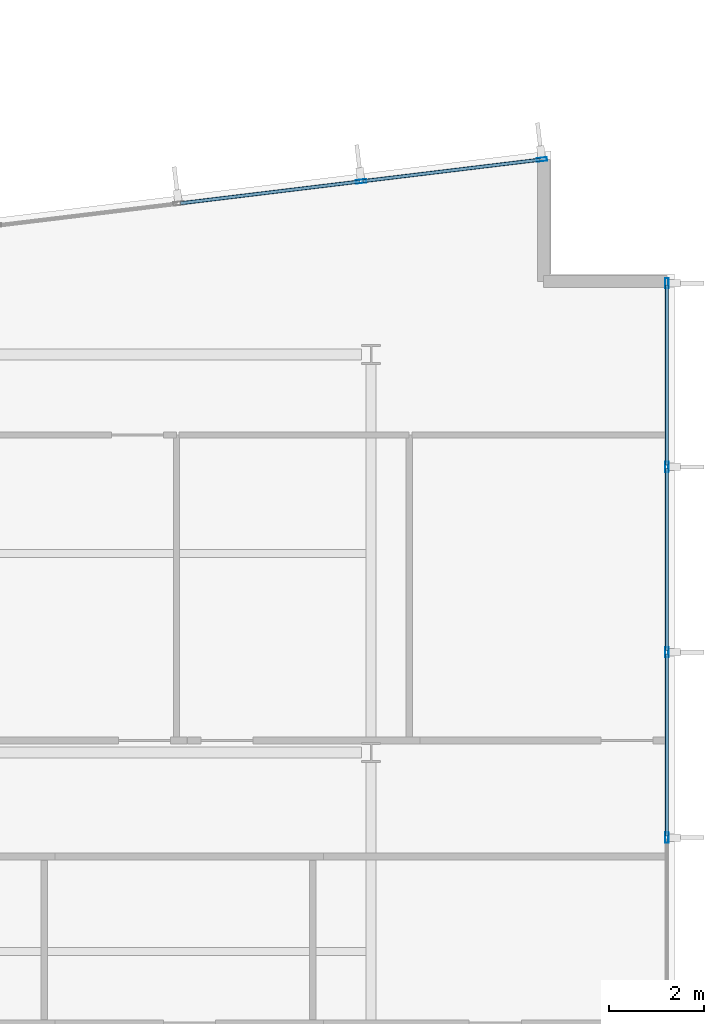
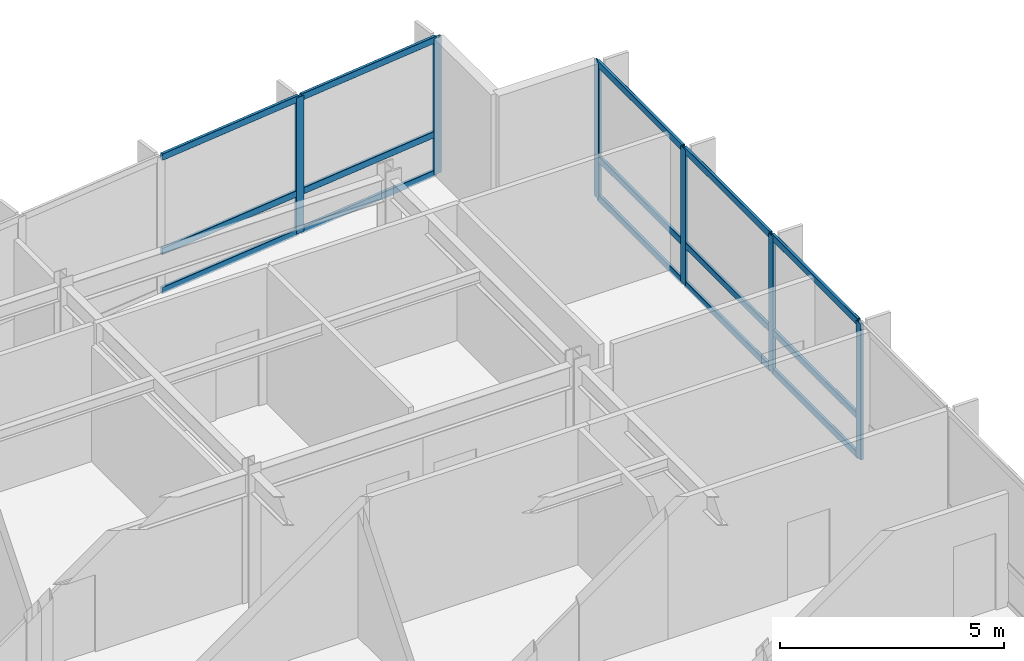
# One storey, part 8 of 19: 21 members, 2 elements without a shape of their own.
"""IFC4 building model written with IfcOpenShell, lengths in metres."""

from ifc_helpers import new_model, si_unit, direction, frame, origin, origin_2d, place, context, subcontext, project, spatial, hollow_rectangle, extrude, material, layer, layer_set, material_profile, profile_set, type_object, element, aggregate, save


model = new_model("IFC4")

# Units and contexts
model_context = context("Model", 3, precision=1e-05, world=origin(), true_north=direction((0.0, 1.0)))
body_context = subcontext(model_context, "Body", "Model", "MODEL_VIEW")
ifc_project = project(units=[si_unit("LENGTHUNIT", "METRE"), si_unit("AREAUNIT", "SQUARE_METRE"), si_unit("VOLUMEUNIT", "CUBIC_METRE"), si_unit("PLANEANGLEUNIT", "RADIAN"), si_unit("MASSUNIT", "GRAM", prefix="KILO")], contexts=[model_context])

# Site, building, storey
site_placement = place(None, origin())
site = spatial("IfcSite", under=ifc_project, at=site_placement, CompositionType="ELEMENT")
building_placement = place(site_placement, origin())
building = spatial("IfcBuilding", under=site, at=building_placement, Name="Varnakote Quay Hospital", CompositionType="ELEMENT")
storey_placement = place(building_placement, frame((0.0, 0.0, 162.60009765625)))
storey = spatial("IfcBuildingStorey", under=building, at=storey_placement, Name="L40", CompositionType="ELEMENT", Elevation=162.60009765625)

# Curtain wall, members
ifc_material_1 = material(Name="Anodised aluminium 6063-T6 Bronze", Category="aluminium")
ifc_layer = layer(ifc_material_1, 0.205078125)
ifc_layer_set = layer_set([ifc_layer], Name="Anodised aluminium 6063-T6 Bronze")
curtain_wall_type = type_object("IfcCurtainWallType", Name="CW-SYS-3", PredefinedType="NOTDEFINED", material=ifc_layer_set)
curtain_wall_1_placement = place(storey_placement, origin())
curtain_wall_1 = element("IfcCurtainWall", 1, at=curtain_wall_1_placement, inside=storey, type_object=curtain_wall_type, Name="L40 Unitised Bronze Curtain Wall 1", PredefinedType="NOTDEFINED")
ifc_material_2 = material(Name="Anodised aluminium 6063-T6 Bronze", Category="aluminium")
ifc_material_profile_1 = material_profile(ifc_material_2, hollow_rectangle(XDim=0.074951171875, YDim=0.219970703125, WallThickness=0.00439453125, InnerFilletRadius=0.00439453125, OuterFilletRadius=0.009033203125, at=origin_2d()), Name="CW-MULL-220x75")
ifc_profile_set_1 = profile_set([ifc_material_profile_1], Name="Anodised aluminium 6063-T6 Bronze")
member_type_1 = type_object("IfcMemberType", Name="CW-MULL-220x75", PredefinedType="MULLION", material=ifc_profile_set_1)
member_1_placement = place(storey_placement, frame((56.639892578125, 18.60009765625, 0.0), z_axis=(0.0, 0.0, 1.0), x_axis=(-1.0, 0.0, 0.0)))
member_1 = element("IfcMember", 2, at=member_1_placement, type_object=member_type_1, Name="-3-L40-1 mullion 4", PredefinedType="MULLION", context=body_context, shape_type="SweptSolid", body=[
    extrude(hollow_rectangle(XDim=0.074951171875, YDim=0.219970703125, WallThickness=0.00439453125, InnerFilletRadius=0.00439453125, OuterFilletRadius=0.009033203125, at=origin_2d()), origin(), (0.0, 0.0, 1.0), 3.7099609375),
])
member_2_placement = place(storey_placement, frame((56.639892578125, 22.513427734375, 0.0), z_axis=(0.0, 0.0, 1.0), x_axis=(-1.0, 0.0, 0.0)))
member_2 = element("IfcMember", 3, at=member_2_placement, type_object=member_type_1, Name="-3-L40-1 mullion 5", PredefinedType="MULLION", context=body_context, shape_type="SweptSolid", body=[
    extrude(hollow_rectangle(XDim=0.074951171875, YDim=0.219970703125, WallThickness=0.00439453125, InnerFilletRadius=0.00439453125, OuterFilletRadius=0.009033203125, at=origin_2d()), origin(), (0.0, 0.0, 1.0), 3.7099609375),
])
member_3_placement = place(storey_placement, frame((56.639892578125, 26.4267578125, 0.0), z_axis=(0.0, 0.0, 1.0), x_axis=(-1.0, 0.0, 0.0)))
member_3 = element("IfcMember", 4, at=member_3_placement, type_object=member_type_1, Name="-3-L40-1 mullion 6", PredefinedType="MULLION", context=body_context, shape_type="SweptSolid", body=[
    extrude(hollow_rectangle(XDim=0.074951171875, YDim=0.219970703125, WallThickness=0.00439453125, InnerFilletRadius=0.00439453125, OuterFilletRadius=0.009033203125, at=origin_2d()), origin(), (0.0, 0.0, 1.0), 3.7099609375),
])
member_4_placement = place(storey_placement, frame((56.639892578125, 30.302490234375, 0.0), z_axis=(0.0, 0.0, 1.0), x_axis=(-1.0, 0.0, 0.0)))
member_4 = element("IfcMember", 5, at=member_4_placement, type_object=member_type_1, Name="-3-L40-1 mullion 7", PredefinedType="MULLION", context=body_context, shape_type="SweptSolid", body=[
    extrude(hollow_rectangle(XDim=0.074951171875, YDim=0.219970703125, WallThickness=0.00439453125, InnerFilletRadius=0.00439453125, OuterFilletRadius=0.009033203125, at=origin_2d()), origin(), (0.0, 0.0, 1.0), 3.7099609375),
])

curtain_wall_2_placement = place(storey_placement, origin())
curtain_wall_2 = element("IfcCurtainWall", 6, at=curtain_wall_2_placement, inside=storey, type_object=curtain_wall_type, Name="L40 Unitised Bronze Curtain Wall 2", PredefinedType="NOTDEFINED")
member_5_placement = place(storey_placement, frame((54.002685546875, 32.914794921875, 0.0), z_axis=(0.0, 0.0, 1.0), x_axis=(0.12032713492, -0.992734295067, 0.0)))
member_5 = element("IfcMember", 7, at=member_5_placement, type_object=member_type_1, Name="-3-L40-2 mullion 1", PredefinedType="MULLION", context=body_context, shape_type="SweptSolid", body=[
    extrude(hollow_rectangle(XDim=0.074951171875, YDim=0.219970703125, WallThickness=0.00439453125, InnerFilletRadius=0.00439453125, OuterFilletRadius=0.009033203125, at=origin_2d()), origin(), (0.0, 0.0, 1.0), 3.7099609375),
])
member_6_placement = place(storey_placement, frame((50.1875, 32.452392578125, 0.0), z_axis=(0.0, 0.0, 1.0), x_axis=(0.12032713492, -0.992734295067, 0.0)))
member_6 = element("IfcMember", 8, at=member_6_placement, type_object=member_type_1, Name="-3-L40-2 mullion 2", PredefinedType="MULLION", context=body_context, shape_type="SweptSolid", body=[
    extrude(hollow_rectangle(XDim=0.074951171875, YDim=0.219970703125, WallThickness=0.00439453125, InnerFilletRadius=0.00439453125, OuterFilletRadius=0.009033203125, at=origin_2d()), origin(), (0.0, 0.0, 1.0), 3.7099609375),
])

# Member
ifc_material_3 = material(Name="Anodised aluminium 6063-T6 Bronze", Category="aluminium")
ifc_material_profile_2 = material_profile(ifc_material_3, hollow_rectangle(XDim=0.074951171875, YDim=0.179931640625, WallThickness=0.004150390625, InnerFilletRadius=0.004150390625, OuterFilletRadius=0.00830078125, at=origin_2d()), Name="CW-TRAN-180x75")
ifc_profile_set_2 = profile_set([ifc_material_profile_2], Name="Anodised aluminium 6063-T6 Bronze")
member_type_2 = type_object("IfcMemberType", Name="CW-TRAN-180x75", PredefinedType="USERDEFINED", material=ifc_profile_set_2)
member_7_placement = place(storey_placement, frame((56.639892578125, 18.637451171875, 0.037353515625), z_axis=(0.0, 1.0, 0.0), x_axis=(-1.0, 0.0, 0.0)))
member_7 = element("IfcMember", 9, at=member_7_placement, type_object=member_type_2, Name="-3-L40-1 transom 4.1", ObjectType="TRANSOM", PredefinedType="USERDEFINED", context=body_context, shape_type="SweptSolid", body=[
    extrude(hollow_rectangle(XDim=0.074951171875, YDim=0.179931640625, WallThickness=0.004150390625, InnerFilletRadius=0.004150390625, OuterFilletRadius=0.00830078125, at=origin_2d()), origin(), (0.0, 0.0, 1.0), 3.83837890625),
])

member_8_placement = place(storey_placement, frame((56.639892578125, 18.637451171875, 1.099853515625), z_axis=(0.0, 1.0, 0.0), x_axis=(-1.0, 0.0, 0.0)))
member_8 = element("IfcMember", 10, at=member_8_placement, type_object=member_type_2, Name="-3-L40-1 transom 4.2", ObjectType="TRANSOM", PredefinedType="USERDEFINED", context=body_context, shape_type="SweptSolid", body=[
    extrude(hollow_rectangle(XDim=0.074951171875, YDim=0.179931640625, WallThickness=0.004150390625, InnerFilletRadius=0.004150390625, OuterFilletRadius=0.00830078125, at=origin_2d()), origin(), (0.0, 0.0, 1.0), 3.83837890625),
])

member_9_placement = place(storey_placement, frame((56.639892578125, 18.637451171875, 3.67236328125), z_axis=(0.0, 1.0, 0.0), x_axis=(-1.0, 0.0, 0.0)))
member_9 = element("IfcMember", 11, at=member_9_placement, type_object=member_type_2, Name="-3-L40-1 transom 4.3", ObjectType="TRANSOM", PredefinedType="USERDEFINED", context=body_context, shape_type="SweptSolid", body=[
    extrude(hollow_rectangle(XDim=0.074951171875, YDim=0.179931640625, WallThickness=0.004150390625, InnerFilletRadius=0.004150390625, OuterFilletRadius=0.00830078125, at=origin_2d()), origin(), (0.0, 0.0, 1.0), 3.83837890625),
])

member_10_placement = place(storey_placement, frame((56.639892578125, 22.55078125, 0.037353515625), z_axis=(0.0, 1.0, 0.0), x_axis=(-1.0, 0.0, 0.0)))
member_10 = element("IfcMember", 12, at=member_10_placement, type_object=member_type_2, Name="-3-L40-1 transom 5.1", ObjectType="TRANSOM", PredefinedType="USERDEFINED", context=body_context, shape_type="SweptSolid", body=[
    extrude(hollow_rectangle(XDim=0.074951171875, YDim=0.179931640625, WallThickness=0.004150390625, InnerFilletRadius=0.004150390625, OuterFilletRadius=0.00830078125, at=origin_2d()), origin(), (0.0, 0.0, 1.0), 3.83837890625),
])

member_11_placement = place(storey_placement, frame((56.639892578125, 22.55078125, 1.099853515625), z_axis=(0.0, 1.0, 0.0), x_axis=(-1.0, 0.0, 0.0)))
member_11 = element("IfcMember", 13, at=member_11_placement, type_object=member_type_2, Name="-3-L40-1 transom 5.2", ObjectType="TRANSOM", PredefinedType="USERDEFINED", context=body_context, shape_type="SweptSolid", body=[
    extrude(hollow_rectangle(XDim=0.074951171875, YDim=0.179931640625, WallThickness=0.004150390625, InnerFilletRadius=0.004150390625, OuterFilletRadius=0.00830078125, at=origin_2d()), origin(), (0.0, 0.0, 1.0), 3.83837890625),
])

member_12_placement = place(storey_placement, frame((56.639892578125, 22.55078125, 3.67236328125), z_axis=(0.0, 1.0, 0.0), x_axis=(-1.0, 0.0, 0.0)))
member_12 = element("IfcMember", 14, at=member_12_placement, type_object=member_type_2, Name="-3-L40-1 transom 5.3", ObjectType="TRANSOM", PredefinedType="USERDEFINED", context=body_context, shape_type="SweptSolid", body=[
    extrude(hollow_rectangle(XDim=0.074951171875, YDim=0.179931640625, WallThickness=0.004150390625, InnerFilletRadius=0.004150390625, OuterFilletRadius=0.00830078125, at=origin_2d()), origin(), (0.0, 0.0, 1.0), 3.83837890625),
])

member_13_placement = place(storey_placement, frame((56.639892578125, 26.464111328125, 0.037353515625), z_axis=(0.0, 1.0, 0.0), x_axis=(-1.0, 0.0, 0.0)))
member_13 = element("IfcMember", 15, at=member_13_placement, type_object=member_type_2, Name="-3-L40-1 transom 6.1", ObjectType="TRANSOM", PredefinedType="USERDEFINED", context=body_context, shape_type="SweptSolid", body=[
    extrude(hollow_rectangle(XDim=0.074951171875, YDim=0.179931640625, WallThickness=0.004150390625, InnerFilletRadius=0.004150390625, OuterFilletRadius=0.00830078125, at=origin_2d()), origin(), (0.0, 0.0, 1.0), 3.80078125),
])

member_14_placement = place(storey_placement, frame((56.639892578125, 26.464111328125, 1.099853515625), z_axis=(0.0, 1.0, 0.0), x_axis=(-1.0, 0.0, 0.0)))
member_14 = element("IfcMember", 16, at=member_14_placement, type_object=member_type_2, Name="-3-L40-1 transom 6.2", ObjectType="TRANSOM", PredefinedType="USERDEFINED", context=body_context, shape_type="SweptSolid", body=[
    extrude(hollow_rectangle(XDim=0.074951171875, YDim=0.179931640625, WallThickness=0.004150390625, InnerFilletRadius=0.004150390625, OuterFilletRadius=0.00830078125, at=origin_2d()), origin(), (0.0, 0.0, 1.0), 3.80078125),
])

member_15_placement = place(storey_placement, frame((56.639892578125, 26.464111328125, 3.67236328125), z_axis=(0.0, 1.0, 0.0), x_axis=(-1.0, 0.0, 0.0)))
member_15 = element("IfcMember", 17, at=member_15_placement, type_object=member_type_2, Name="-3-L40-1 transom 6.3", ObjectType="TRANSOM", PredefinedType="USERDEFINED", context=body_context, shape_type="SweptSolid", body=[
    extrude(hollow_rectangle(XDim=0.074951171875, YDim=0.179931640625, WallThickness=0.004150390625, InnerFilletRadius=0.004150390625, OuterFilletRadius=0.00830078125, at=origin_2d()), origin(), (0.0, 0.0, 1.0), 3.80078125),
])

aggregate(curtain_wall_1, [member_1, member_2, member_3, member_4, member_7, member_8, member_9, member_10, member_11, member_12, member_13, member_14, member_15])

member_16_placement = place(storey_placement, frame((53.965576171875, 32.910400390625, 0.037353515625), z_axis=(-0.992735423717, -0.120317822859, 0.0), x_axis=(0.120317822859, -0.992735423717, 0.0)))
member_16 = element("IfcMember", 18, at=member_16_placement, type_object=member_type_2, Name="-3-L40-2 transom 1.1", ObjectType="TRANSOM", PredefinedType="USERDEFINED", context=body_context, shape_type="SweptSolid", body=[
    extrude(hollow_rectangle(XDim=0.074951171875, YDim=0.179931640625, WallThickness=0.004150390625, InnerFilletRadius=0.004150390625, OuterFilletRadius=0.00830078125, at=origin_2d()), origin(), (0.0, 0.0, 1.0), 3.76806640625),
])

member_17_placement = place(storey_placement, frame((53.965576171875, 32.910400390625, 1.099853515625), z_axis=(-0.992735423717, -0.120317822859, 0.0), x_axis=(0.120317822859, -0.992735423717, 0.0)))
member_17 = element("IfcMember", 19, at=member_17_placement, type_object=member_type_2, Name="-3-L40-2 transom 1.2", ObjectType="TRANSOM", PredefinedType="USERDEFINED", context=body_context, shape_type="SweptSolid", body=[
    extrude(hollow_rectangle(XDim=0.074951171875, YDim=0.179931640625, WallThickness=0.004150390625, InnerFilletRadius=0.004150390625, OuterFilletRadius=0.00830078125, at=origin_2d()), origin(), (0.0, 0.0, 1.0), 3.76806640625),
])

member_18_placement = place(storey_placement, frame((53.965576171875, 32.910400390625, 3.67236328125), z_axis=(-0.992735423717, -0.120317822859, 0.0), x_axis=(0.120317822859, -0.992735423717, 0.0)))
member_18 = element("IfcMember", 20, at=member_18_placement, type_object=member_type_2, Name="-3-L40-2 transom 1.3", ObjectType="TRANSOM", PredefinedType="USERDEFINED", context=body_context, shape_type="SweptSolid", body=[
    extrude(hollow_rectangle(XDim=0.074951171875, YDim=0.179931640625, WallThickness=0.004150390625, InnerFilletRadius=0.004150390625, OuterFilletRadius=0.00830078125, at=origin_2d()), origin(), (0.0, 0.0, 1.0), 3.76806640625),
])

member_19_placement = place(storey_placement, frame((50.150390625, 32.447998046875, 0.037353515625), z_axis=(-0.992731924158, -0.120346694005, 0.0), x_axis=(0.120346694005, -0.992731924158, 0.0)))
member_19 = element("IfcMember", 21, at=member_19_placement, type_object=member_type_2, Name="-3-L40-2 transom 2.1", ObjectType="TRANSOM", PredefinedType="USERDEFINED", context=body_context, shape_type="SweptSolid", body=[
    extrude(hollow_rectangle(XDim=0.074951171875, YDim=0.179931640625, WallThickness=0.004150390625, InnerFilletRadius=0.004150390625, OuterFilletRadius=0.00830078125, at=origin_2d()), origin(), (0.0, 0.0, 1.0), 3.8056640625),
])

member_20_placement = place(storey_placement, frame((50.150390625, 32.447998046875, 1.099853515625), z_axis=(-0.992731924158, -0.120346694005, 0.0), x_axis=(0.120346694005, -0.992731924158, 0.0)))
member_20 = element("IfcMember", 22, at=member_20_placement, type_object=member_type_2, Name="-3-L40-2 transom 2.2", ObjectType="TRANSOM", PredefinedType="USERDEFINED", context=body_context, shape_type="SweptSolid", body=[
    extrude(hollow_rectangle(XDim=0.074951171875, YDim=0.179931640625, WallThickness=0.004150390625, InnerFilletRadius=0.004150390625, OuterFilletRadius=0.00830078125, at=origin_2d()), origin(), (0.0, 0.0, 1.0), 3.8056640625),
])

member_21_placement = place(storey_placement, frame((50.150390625, 32.447998046875, 3.67236328125), z_axis=(-0.992731924158, -0.120346694005, 0.0), x_axis=(0.120346694005, -0.992731924158, 0.0)))
member_21 = element("IfcMember", 23, at=member_21_placement, type_object=member_type_2, Name="-3-L40-2 transom 2.3", ObjectType="TRANSOM", PredefinedType="USERDEFINED", context=body_context, shape_type="SweptSolid", body=[
    extrude(hollow_rectangle(XDim=0.074951171875, YDim=0.179931640625, WallThickness=0.004150390625, InnerFilletRadius=0.004150390625, OuterFilletRadius=0.00830078125, at=origin_2d()), origin(), (0.0, 0.0, 1.0), 3.8056640625),
])

aggregate(curtain_wall_2, [member_5, member_6, member_16, member_17, member_18, member_19, member_20, member_21])

save(model, "model.ifc")
